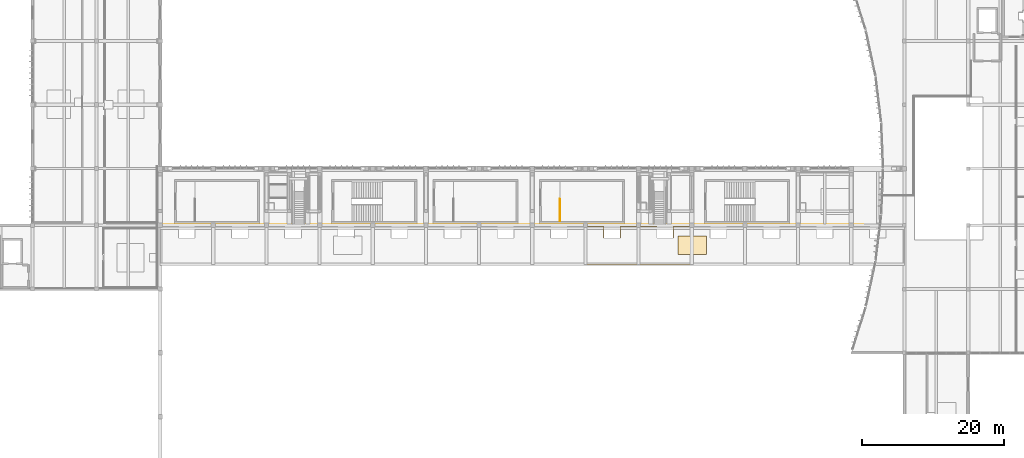
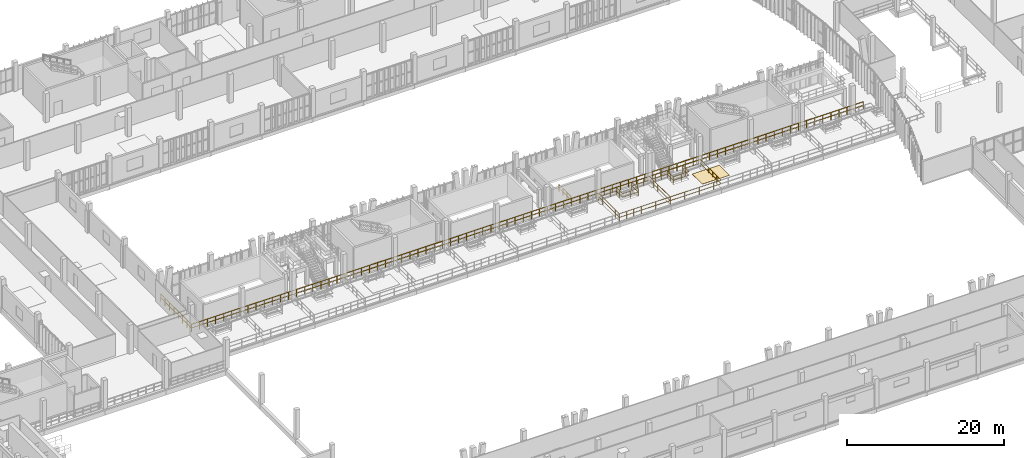
# One storey, part 70 of 81: 4 railings, 1 covering.
"""IFC4 building model written with IfcOpenShell, lengths in metres."""

from ifc_helpers import new_model, si_unit, direction, frame, origin, origin_2d, place, context, subcontext, project, spatial, rectangle, circle, extrude, material, layer, layer_set, type_object, element, save


model = new_model("IFC4")

# Units and contexts
model_context = context("Model", 3, precision=1e-05, world=origin(), true_north=direction((0.0, 1.0)))
body_context = subcontext(model_context, "Body", "Model", "MODEL_VIEW")
ifc_project = project(units=[si_unit("LENGTHUNIT", "METRE"), si_unit("AREAUNIT", "SQUARE_METRE"), si_unit("VOLUMEUNIT", "CUBIC_METRE"), si_unit("PLANEANGLEUNIT", "RADIAN"), si_unit("MASSUNIT", "GRAM", prefix="KILO")], contexts=[model_context])

# Site, building, storey
site_placement = place(None, origin())
site = spatial("IfcSite", under=ifc_project, at=site_placement, CompositionType="ELEMENT")
building_placement = place(site_placement, origin())
building = spatial("IfcBuilding", under=site, at=building_placement, Name="Vourika Railside Aquatics Centre", CompositionType="ELEMENT")
storey_placement = place(building_placement, frame((0.0, 0.0, 4.800048828125)))
storey = spatial("IfcBuildingStorey", under=building, at=storey_placement, Name="L01", CompositionType="ELEMENT", Elevation=4.800048828125)

# Covering
ifc_material_1 = material(Name="Slip-resistant aqua ceramic sports flooring")
ifc_layer = layer(ifc_material_1, 0.02001953125, Name="COV-FLOR-20")
ifc_layer_set = layer_set([ifc_layer], Name="Slip-resistant aqua ceramic sports flooring")
covering_type = type_object("IfcCoveringType", Name="COV-FLOR-20", PredefinedType="FLOORING", material=ifc_layer_set)
covering_placement = place(storey_placement, frame((111.050048828125, 55.199951171875, 0.0), z_axis=(0.0, 0.0, 1.0), x_axis=(1.0, 0.0, 0.0)))
element("IfcCovering", 1, at=covering_placement, inside=storey, type_object=covering_type, Name="Upper Tier Stands Sports Flooring Panel", PredefinedType="FLOORING", context=body_context, shape_type="SweptSolid", body=[
    extrude(rectangle(XDim=4.0, YDim=2.60009765625, at=origin_2d()), origin(), (0.0, 0.0, 1.0), 0.02001953125),
])

# Railings
ifc_material_2 = material(Name="Duplex stainless steel EN 1.4462", Category="steel")
railing_type_1 = type_object("IfcRailingType", Name="RL-BAL-STD120", PredefinedType="BALUSTRADE", material=ifc_material_2)
railing_1_placement = place(storey_placement, frame((36.080078125, 65.89990234375, 0.0)))
element("IfcRailing", 2, at=railing_1_placement, inside=storey, type_object=railing_type_1, Name="L01 Spectator Concourse Bowl Barrier", PredefinedType="BALUSTRADE", context=body_context, shape_type="SweptSolid", body=[
    extrude(circle(Radius=0.02392578125, at=origin_2d()), frame((0.0, 0.0, 1.17578125), z_axis=(0.0, -1.0, 0.0), x_axis=(1.0, 0.0, 0.0)), (0.0, 0.0, 1.0), 7.81982421875),
    extrude(circle(Radius=0.02392578125, at=origin_2d()), frame((0.0, 0.0, 0.60009765625), z_axis=(0.0, -1.0, 0.0), x_axis=(1.0, 0.0, 0.0)), (0.0, 0.0, 1.0), 7.81982421875),
    extrude(circle(Radius=0.02392578125, at=origin_2d()), frame((0.0, -7.81982421875, 1.17578125), z_axis=(1.0, 0.0, 0.0), x_axis=(0.0, 1.0, 0.0)), (0.0, 0.0, 1.0), 99.119873046875),
    extrude(circle(Radius=0.02392578125, at=origin_2d()), frame((0.0, -7.81982421875, 0.60009765625), z_axis=(1.0, 0.0, 0.0), x_axis=(0.0, 1.0, 0.0)), (0.0, 0.0, 1.0), 99.119873046875),
    extrude(circle(Radius=0.02099609375, at=origin_2d()), origin(), (0.0, 0.0, 1.0), 1.15185546875),
    extrude(circle(Radius=0.02099609375, at=origin_2d()), frame((0.0, -1.1171875, 0.0)), (0.0, 0.0, 1.0), 1.15185546875),
    extrude(circle(Radius=0.02099609375, at=origin_2d()), frame((0.0, -2.234130859375, 0.0)), (0.0, 0.0, 1.0), 1.15185546875),
    extrude(circle(Radius=0.02099609375, at=origin_2d()), frame((0.0, -3.351318359375, 0.0)), (0.0, 0.0, 1.0), 1.15185546875),
    extrude(circle(Radius=0.02099609375, at=origin_2d()), frame((0.0, -4.468505859375, 0.0)), (0.0, 0.0, 1.0), 1.15185546875),
    extrude(circle(Radius=0.02099609375, at=origin_2d()), frame((0.0, -5.585693359375, 0.0)), (0.0, 0.0, 1.0), 1.15185546875),
    extrude(circle(Radius=0.02099609375, at=origin_2d()), frame((0.0, -6.70263671875, 0.0)), (0.0, 0.0, 1.0), 1.15185546875),
    extrude(circle(Radius=0.02099609375, at=origin_2d()), frame((0.0, -7.81982421875, 0.0)), (0.0, 0.0, 1.0), 1.15185546875),
    extrude(circle(Radius=0.02099609375, at=origin_2d()), frame((1.1943359375, -7.81982421875, 0.0)), (0.0, 0.0, 1.0), 1.15185546875),
    extrude(circle(Radius=0.02099609375, at=origin_2d()), frame((2.388427734375, -7.81982421875, 0.0)), (0.0, 0.0, 1.0), 1.15185546875),
    extrude(circle(Radius=0.02099609375, at=origin_2d()), frame((3.582763671875, -7.81982421875, 0.0)), (0.0, 0.0, 1.0), 1.15185546875),
    extrude(circle(Radius=0.02099609375, at=origin_2d()), frame((4.77685546875, -7.81982421875, 0.0)), (0.0, 0.0, 1.0), 1.15185546875),
    extrude(circle(Radius=0.02099609375, at=origin_2d()), frame((5.97119140625, -7.81982421875, 0.0)), (0.0, 0.0, 1.0), 1.15185546875),
    extrude(circle(Radius=0.02099609375, at=origin_2d()), frame((7.165283203125, -7.81982421875, 0.0)), (0.0, 0.0, 1.0), 1.15185546875),
    extrude(circle(Radius=0.02099609375, at=origin_2d()), frame((8.359619140625, -7.81982421875, 0.0)), (0.0, 0.0, 1.0), 1.15185546875),
    extrude(circle(Radius=0.02099609375, at=origin_2d()), frame((9.5537109375, -7.81982421875, 0.0)), (0.0, 0.0, 1.0), 1.15185546875),
    extrude(circle(Radius=0.02099609375, at=origin_2d()), frame((10.748046875, -7.81982421875, 0.0)), (0.0, 0.0, 1.0), 1.15185546875),
    extrude(circle(Radius=0.02099609375, at=origin_2d()), frame((11.942138671875, -7.81982421875, 0.0)), (0.0, 0.0, 1.0), 1.15185546875),
    extrude(circle(Radius=0.02099609375, at=origin_2d()), frame((13.136474609375, -7.81982421875, 0.0)), (0.0, 0.0, 1.0), 1.15185546875),
    extrude(circle(Radius=0.02099609375, at=origin_2d()), frame((14.33056640625, -7.81982421875, 0.0)), (0.0, 0.0, 1.0), 1.15185546875),
    extrude(circle(Radius=0.02099609375, at=origin_2d()), frame((15.52490234375, -7.81982421875, 0.0)), (0.0, 0.0, 1.0), 1.15185546875),
    extrude(circle(Radius=0.02099609375, at=origin_2d()), frame((16.718994140625, -7.81982421875, 0.0)), (0.0, 0.0, 1.0), 1.15185546875),
    extrude(circle(Radius=0.02099609375, at=origin_2d()), frame((17.913330078125, -7.81982421875, 0.0)), (0.0, 0.0, 1.0), 1.15185546875),
    extrude(circle(Radius=0.02099609375, at=origin_2d()), frame((19.107421875, -7.81982421875, 0.0)), (0.0, 0.0, 1.0), 1.15185546875),
    extrude(circle(Radius=0.02099609375, at=origin_2d()), frame((20.3017578125, -7.81982421875, 0.0)), (0.0, 0.0, 1.0), 1.15185546875),
    extrude(circle(Radius=0.02099609375, at=origin_2d()), frame((21.495849609375, -7.81982421875, 0.0)), (0.0, 0.0, 1.0), 1.15185546875),
    extrude(circle(Radius=0.02099609375, at=origin_2d()), frame((22.690185546875, -7.81982421875, 0.0)), (0.0, 0.0, 1.0), 1.15185546875),
    extrude(circle(Radius=0.02099609375, at=origin_2d()), frame((23.88427734375, -7.81982421875, 0.0)), (0.0, 0.0, 1.0), 1.15185546875),
    extrude(circle(Radius=0.02099609375, at=origin_2d()), frame((25.07861328125, -7.81982421875, 0.0)), (0.0, 0.0, 1.0), 1.15185546875),
    extrude(circle(Radius=0.02099609375, at=origin_2d()), frame((26.272705078125, -7.81982421875, 0.0)), (0.0, 0.0, 1.0), 1.15185546875),
    extrude(circle(Radius=0.02099609375, at=origin_2d()), frame((27.467041015625, -7.81982421875, 0.0)), (0.0, 0.0, 1.0), 1.15185546875),
    extrude(circle(Radius=0.02099609375, at=origin_2d()), frame((28.6611328125, -7.81982421875, 0.0)), (0.0, 0.0, 1.0), 1.15185546875),
    extrude(circle(Radius=0.02099609375, at=origin_2d()), frame((29.85546875, -7.81982421875, 0.0)), (0.0, 0.0, 1.0), 1.15185546875),
    extrude(circle(Radius=0.02099609375, at=origin_2d()), frame((31.049560546875, -7.81982421875, 0.0)), (0.0, 0.0, 1.0), 1.15185546875),
    extrude(circle(Radius=0.02099609375, at=origin_2d()), frame((32.243896484375, -7.81982421875, 0.0)), (0.0, 0.0, 1.0), 1.15185546875),
    extrude(circle(Radius=0.02099609375, at=origin_2d()), frame((33.43798828125, -7.81982421875, 0.0)), (0.0, 0.0, 1.0), 1.15185546875),
    extrude(circle(Radius=0.02099609375, at=origin_2d()), frame((34.63232421875, -7.81982421875, 0.0)), (0.0, 0.0, 1.0), 1.15185546875),
    extrude(circle(Radius=0.02099609375, at=origin_2d()), frame((35.826416015625, -7.81982421875, 0.0)), (0.0, 0.0, 1.0), 1.15185546875),
    extrude(circle(Radius=0.02099609375, at=origin_2d()), frame((37.020751953125, -7.81982421875, 0.0)), (0.0, 0.0, 1.0), 1.15185546875),
    extrude(circle(Radius=0.02099609375, at=origin_2d()), frame((38.21484375, -7.81982421875, 0.0)), (0.0, 0.0, 1.0), 1.15185546875),
    extrude(circle(Radius=0.02099609375, at=origin_2d()), frame((39.4091796875, -7.81982421875, 0.0)), (0.0, 0.0, 1.0), 1.15185546875),
    extrude(circle(Radius=0.02099609375, at=origin_2d()), frame((40.603271484375, -7.81982421875, 0.0)), (0.0, 0.0, 1.0), 1.15185546875),
    extrude(circle(Radius=0.02099609375, at=origin_2d()), frame((41.797607421875, -7.81982421875, 0.0)), (0.0, 0.0, 1.0), 1.15185546875),
    extrude(circle(Radius=0.02099609375, at=origin_2d()), frame((42.99169921875, -7.81982421875, 0.0)), (0.0, 0.0, 1.0), 1.15185546875),
    extrude(circle(Radius=0.02099609375, at=origin_2d()), frame((44.18603515625, -7.81982421875, 0.0)), (0.0, 0.0, 1.0), 1.15185546875),
    extrude(circle(Radius=0.02099609375, at=origin_2d()), frame((45.380126953125, -7.81982421875, 0.0)), (0.0, 0.0, 1.0), 1.15185546875),
    extrude(circle(Radius=0.02099609375, at=origin_2d()), frame((46.574462890625, -7.81982421875, 0.0)), (0.0, 0.0, 1.0), 1.15185546875),
    extrude(circle(Radius=0.02099609375, at=origin_2d()), frame((47.7685546875, -7.81982421875, 0.0)), (0.0, 0.0, 1.0), 1.15185546875),
    extrude(circle(Radius=0.02099609375, at=origin_2d()), frame((48.962890625, -7.81982421875, 0.0)), (0.0, 0.0, 1.0), 1.15185546875),
    extrude(circle(Radius=0.02099609375, at=origin_2d()), frame((50.156982421875, -7.81982421875, 0.0)), (0.0, 0.0, 1.0), 1.15185546875),
    extrude(circle(Radius=0.02099609375, at=origin_2d()), frame((51.351318359375, -7.81982421875, 0.0)), (0.0, 0.0, 1.0), 1.15185546875),
    extrude(circle(Radius=0.02099609375, at=origin_2d()), frame((52.54541015625, -7.81982421875, 0.0)), (0.0, 0.0, 1.0), 1.15185546875),
    extrude(circle(Radius=0.02099609375, at=origin_2d()), frame((53.73974609375, -7.81982421875, 0.0)), (0.0, 0.0, 1.0), 1.15185546875),
    extrude(circle(Radius=0.02099609375, at=origin_2d()), frame((54.933837890625, -7.81982421875, 0.0)), (0.0, 0.0, 1.0), 1.15185546875),
    extrude(circle(Radius=0.02099609375, at=origin_2d()), frame((56.128173828125, -7.81982421875, 0.0)), (0.0, 0.0, 1.0), 1.15185546875),
    extrude(circle(Radius=0.02099609375, at=origin_2d()), frame((57.322265625, -7.81982421875, 0.0)), (0.0, 0.0, 1.0), 1.15185546875),
    extrude(circle(Radius=0.02099609375, at=origin_2d()), frame((58.5166015625, -7.81982421875, 0.0)), (0.0, 0.0, 1.0), 1.15185546875),
    extrude(circle(Radius=0.02099609375, at=origin_2d()), frame((59.710693359375, -7.81982421875, 0.0)), (0.0, 0.0, 1.0), 1.15185546875),
    extrude(circle(Radius=0.02099609375, at=origin_2d()), frame((60.905029296875, -7.81982421875, 0.0)), (0.0, 0.0, 1.0), 1.15185546875),
    extrude(circle(Radius=0.02099609375, at=origin_2d()), frame((62.09912109375, -7.81982421875, 0.0)), (0.0, 0.0, 1.0), 1.15185546875),
    extrude(circle(Radius=0.02099609375, at=origin_2d()), frame((63.29345703125, -7.81982421875, 0.0)), (0.0, 0.0, 1.0), 1.15185546875),
    extrude(circle(Radius=0.02099609375, at=origin_2d()), frame((64.487548828125, -7.81982421875, 0.0)), (0.0, 0.0, 1.0), 1.15185546875),
    extrude(circle(Radius=0.02099609375, at=origin_2d()), frame((65.681884765625, -7.81982421875, 0.0)), (0.0, 0.0, 1.0), 1.15185546875),
    extrude(circle(Radius=0.02099609375, at=origin_2d()), frame((66.8759765625, -7.81982421875, 0.0)), (0.0, 0.0, 1.0), 1.15185546875),
    extrude(circle(Radius=0.02099609375, at=origin_2d()), frame((68.0703125, -7.81982421875, 0.0)), (0.0, 0.0, 1.0), 1.15185546875),
    extrude(circle(Radius=0.02099609375, at=origin_2d()), frame((69.264404296875, -7.81982421875, 0.0)), (0.0, 0.0, 1.0), 1.15185546875),
    extrude(circle(Radius=0.02099609375, at=origin_2d()), frame((70.458740234375, -7.81982421875, 0.0)), (0.0, 0.0, 1.0), 1.15185546875),
    extrude(circle(Radius=0.02099609375, at=origin_2d()), frame((71.65283203125, -7.81982421875, 0.0)), (0.0, 0.0, 1.0), 1.15185546875),
    extrude(circle(Radius=0.02099609375, at=origin_2d()), frame((72.84716796875, -7.81982421875, 0.0)), (0.0, 0.0, 1.0), 1.15185546875),
    extrude(circle(Radius=0.02099609375, at=origin_2d()), frame((74.041259765625, -7.81982421875, 0.0)), (0.0, 0.0, 1.0), 1.15185546875),
    extrude(circle(Radius=0.02099609375, at=origin_2d()), frame((75.235595703125, -7.81982421875, 0.0)), (0.0, 0.0, 1.0), 1.15185546875),
    extrude(circle(Radius=0.02099609375, at=origin_2d()), frame((76.4296875, -7.81982421875, 0.0)), (0.0, 0.0, 1.0), 1.15185546875),
    extrude(circle(Radius=0.02099609375, at=origin_2d()), frame((77.6240234375, -7.81982421875, 0.0)), (0.0, 0.0, 1.0), 1.15185546875),
    extrude(circle(Radius=0.02099609375, at=origin_2d()), frame((78.818115234375, -7.81982421875, 0.0)), (0.0, 0.0, 1.0), 1.15185546875),
    extrude(circle(Radius=0.02099609375, at=origin_2d()), frame((80.012451171875, -7.81982421875, 0.0)), (0.0, 0.0, 1.0), 1.15185546875),
    extrude(circle(Radius=0.02099609375, at=origin_2d()), frame((81.20654296875, -7.81982421875, 0.0)), (0.0, 0.0, 1.0), 1.15185546875),
    extrude(circle(Radius=0.02099609375, at=origin_2d()), frame((82.40087890625, -7.81982421875, 0.0)), (0.0, 0.0, 1.0), 1.15185546875),
    extrude(circle(Radius=0.02099609375, at=origin_2d()), frame((83.594970703125, -7.81982421875, 0.0)), (0.0, 0.0, 1.0), 1.15185546875),
    extrude(circle(Radius=0.02099609375, at=origin_2d()), frame((84.789306640625, -7.81982421875, 0.0)), (0.0, 0.0, 1.0), 1.15185546875),
    extrude(circle(Radius=0.02099609375, at=origin_2d()), frame((85.9833984375, -7.81982421875, 0.0)), (0.0, 0.0, 1.0), 1.15185546875),
    extrude(circle(Radius=0.02099609375, at=origin_2d()), frame((87.177734375, -7.81982421875, 0.0)), (0.0, 0.0, 1.0), 1.15185546875),
    extrude(circle(Radius=0.02099609375, at=origin_2d()), frame((88.371826171875, -7.81982421875, 0.0)), (0.0, 0.0, 1.0), 1.15185546875),
    extrude(circle(Radius=0.02099609375, at=origin_2d()), frame((89.566162109375, -7.81982421875, 0.0)), (0.0, 0.0, 1.0), 1.15185546875),
    extrude(circle(Radius=0.02099609375, at=origin_2d()), frame((90.76025390625, -7.81982421875, 0.0)), (0.0, 0.0, 1.0), 1.15185546875),
    extrude(circle(Radius=0.02099609375, at=origin_2d()), frame((91.95458984375, -7.81982421875, 0.0)), (0.0, 0.0, 1.0), 1.15185546875),
    extrude(circle(Radius=0.02099609375, at=origin_2d()), frame((93.148681640625, -7.81982421875, 0.0)), (0.0, 0.0, 1.0), 1.15185546875),
    extrude(circle(Radius=0.02099609375, at=origin_2d()), frame((94.343017578125, -7.81982421875, 0.0)), (0.0, 0.0, 1.0), 1.15185546875),
    extrude(circle(Radius=0.02099609375, at=origin_2d()), frame((95.537109375, -7.81982421875, 0.0)), (0.0, 0.0, 1.0), 1.15185546875),
    extrude(circle(Radius=0.02099609375, at=origin_2d()), frame((96.7314453125, -7.81982421875, 0.0)), (0.0, 0.0, 1.0), 1.15185546875),
    extrude(circle(Radius=0.02099609375, at=origin_2d()), frame((97.925537109375, -7.81982421875, 0.0)), (0.0, 0.0, 1.0), 1.15185546875),
    extrude(circle(Radius=0.02099609375, at=origin_2d()), frame((99.119873046875, -7.81982421875, 0.0)), (0.0, 0.0, 1.0), 1.15185546875),
])
railing_2_placement = place(storey_placement, frame((103.5, 57.800048828125, -0.35009765625)))
element("IfcRailing", 3, at=railing_2_placement, inside=storey, type_object=railing_type_1, Name="Spectator Stand Crowd Barrier (Stand Lower Tier Bay 09)", PredefinedType="BALUSTRADE", context=body_context, shape_type="SweptSolid", body=[
    extrude(circle(Radius=0.02392578125, at=origin_2d()), frame((0.0, 0.0, 1.17578125), z_axis=(0.0, -1.0, 0.0), x_axis=(1.0, 0.0, 0.0)), (0.0, 0.0, 1.0), 5.300048828125),
    extrude(circle(Radius=0.02392578125, at=origin_2d()), frame((0.0, 0.0, 0.60009765625), z_axis=(0.0, -1.0, 0.0), x_axis=(1.0, 0.0, 0.0)), (0.0, 0.0, 1.0), 5.300048828125),
    extrude(circle(Radius=0.02392578125, at=origin_2d()), frame((0.0, -5.300048828125, 1.17578125), z_axis=(-1.0, 0.0, 0.0), x_axis=(0.0, -1.0, 0.0)), (0.0, 0.0, 1.0), 7.5),
    extrude(circle(Radius=0.02392578125, at=origin_2d()), frame((0.0, -5.300048828125, 0.60009765625), z_axis=(-1.0, 0.0, 0.0), x_axis=(0.0, -1.0, 0.0)), (0.0, 0.0, 1.0), 7.5),
    extrude(circle(Radius=0.02392578125, at=origin_2d()), frame((-7.5, -5.300048828125, 1.17578125), z_axis=(0.0, 1.0, 0.0), x_axis=(-1.0, 0.0, 0.0)), (0.0, 0.0, 1.0), 5.300048828125),
    extrude(circle(Radius=0.02392578125, at=origin_2d()), frame((-7.5, -5.300048828125, 0.60009765625), z_axis=(0.0, 1.0, 0.0), x_axis=(-1.0, 0.0, 0.0)), (0.0, 0.0, 1.0), 5.300048828125),
    extrude(circle(Radius=0.02392578125, at=origin_2d()), frame((-7.5, 0.0, 1.17578125), z_axis=(1.0, 0.0, 0.0), x_axis=(0.0, 1.0, 0.0)), (0.0, 0.0, 1.0), 2.60009765625),
    extrude(circle(Radius=0.02392578125, at=origin_2d()), frame((-7.5, 0.0, 0.60009765625), z_axis=(1.0, 0.0, 0.0), x_axis=(0.0, 1.0, 0.0)), (0.0, 0.0, 1.0), 2.60009765625),
    extrude(circle(Radius=0.02392578125, at=origin_2d()), frame((-4.89990234375, 0.0, 1.17578125), z_axis=(0.0, -1.0, 0.0), x_axis=(1.0, 0.0, 0.0)), (0.0, 0.0, 1.0), 1.60009765625),
    extrude(circle(Radius=0.02392578125, at=origin_2d()), frame((-4.89990234375, 0.0, 0.60009765625), z_axis=(0.0, -1.0, 0.0), x_axis=(1.0, 0.0, 0.0)), (0.0, 0.0, 1.0), 1.60009765625),
    extrude(circle(Radius=0.02392578125, at=origin_2d()), frame((-4.89990234375, -1.60009765625, 1.17578125), z_axis=(1.0, 0.0, 0.0), x_axis=(0.0, 1.0, 0.0)), (0.0, 0.0, 1.0), 2.2998046875),
    extrude(circle(Radius=0.02392578125, at=origin_2d()), frame((-4.89990234375, -1.60009765625, 0.60009765625), z_axis=(1.0, 0.0, 0.0), x_axis=(0.0, 1.0, 0.0)), (0.0, 0.0, 1.0), 2.2998046875),
    extrude(circle(Radius=0.02392578125, at=origin_2d()), frame((-2.60009765625, -1.60009765625, 1.17578125), z_axis=(0.0, 1.0, 0.0), x_axis=(-1.0, 0.0, 0.0)), (0.0, 0.0, 1.0), 1.60009765625),
    extrude(circle(Radius=0.02392578125, at=origin_2d()), frame((-2.60009765625, -1.60009765625, 0.60009765625), z_axis=(0.0, 1.0, 0.0), x_axis=(-1.0, 0.0, 0.0)), (0.0, 0.0, 1.0), 1.60009765625),
    extrude(circle(Radius=0.02392578125, at=origin_2d()), frame((-2.60009765625, 0.0, 1.17578125), z_axis=(1.0, 0.0, 0.0), x_axis=(0.0, 1.0, 0.0)), (0.0, 0.0, 1.0), 2.60009765625),
    extrude(circle(Radius=0.02392578125, at=origin_2d()), frame((-2.60009765625, 0.0, 0.60009765625), z_axis=(1.0, 0.0, 0.0), x_axis=(0.0, 1.0, 0.0)), (0.0, 0.0, 1.0), 2.60009765625),
    extrude(circle(Radius=0.02099609375, at=origin_2d()), origin(), (0.0, 0.0, 1.0), 1.15185546875),
    extrude(circle(Radius=0.02099609375, at=origin_2d()), frame((0.0, -1.06005859375, 0.0)), (0.0, 0.0, 1.0), 1.15185546875),
    extrude(circle(Radius=0.02099609375, at=origin_2d()), frame((0.0, -2.1201171875, 0.0)), (0.0, 0.0, 1.0), 1.15185546875),
    extrude(circle(Radius=0.02099609375, at=origin_2d()), frame((0.0, -3.179931640625, 0.0)), (0.0, 0.0, 1.0), 1.15185546875),
    extrude(circle(Radius=0.02099609375, at=origin_2d()), frame((0.0, -4.239990234375, 0.0)), (0.0, 0.0, 1.0), 1.15185546875),
    extrude(circle(Radius=0.02099609375, at=origin_2d()), frame((0.0, -5.300048828125, 0.0)), (0.0, 0.0, 1.0), 1.15185546875),
    extrude(circle(Radius=0.02099609375, at=origin_2d()), frame((-1.071533203125, -5.300048828125, 0.0)), (0.0, 0.0, 1.0), 1.15185546875),
    extrude(circle(Radius=0.02099609375, at=origin_2d()), frame((-2.142822265625, -5.300048828125, 0.0)), (0.0, 0.0, 1.0), 1.15185546875),
    extrude(circle(Radius=0.02099609375, at=origin_2d()), frame((-3.21435546875, -5.300048828125, 0.0)), (0.0, 0.0, 1.0), 1.15185546875),
    extrude(circle(Radius=0.02099609375, at=origin_2d()), frame((-4.28564453125, -5.300048828125, 0.0)), (0.0, 0.0, 1.0), 1.15185546875),
    extrude(circle(Radius=0.02099609375, at=origin_2d()), frame((-5.357177734375, -5.300048828125, 0.0)), (0.0, 0.0, 1.0), 1.15185546875),
    extrude(circle(Radius=0.02099609375, at=origin_2d()), frame((-6.428466796875, -5.300048828125, 0.0)), (0.0, 0.0, 1.0), 1.15185546875),
    extrude(circle(Radius=0.02099609375, at=origin_2d()), frame((-7.5, -5.300048828125, 0.0)), (0.0, 0.0, 1.0), 1.15185546875),
    extrude(circle(Radius=0.02099609375, at=origin_2d()), frame((-7.5, -4.239990234375, 0.0)), (0.0, 0.0, 1.0), 1.15185546875),
    extrude(circle(Radius=0.02099609375, at=origin_2d()), frame((-7.5, -3.179931640625, 0.0)), (0.0, 0.0, 1.0), 1.15185546875),
    extrude(circle(Radius=0.02099609375, at=origin_2d()), frame((-7.5, -2.1201171875, 0.0)), (0.0, 0.0, 1.0), 1.15185546875),
    extrude(circle(Radius=0.02099609375, at=origin_2d()), frame((-7.5, -1.06005859375, 0.0)), (0.0, 0.0, 1.0), 1.15185546875),
    extrude(circle(Radius=0.02099609375, at=origin_2d()), frame((-7.5, 0.0, 0.0)), (0.0, 0.0, 1.0), 1.15185546875),
    extrude(circle(Radius=0.02099609375, at=origin_2d()), frame((-6.63330078125, 0.0, 0.0)), (0.0, 0.0, 1.0), 1.15185546875),
    extrude(circle(Radius=0.02099609375, at=origin_2d()), frame((-5.7666015625, 0.0, 0.0)), (0.0, 0.0, 1.0), 1.15185546875),
    extrude(circle(Radius=0.02099609375, at=origin_2d()), frame((-4.89990234375, 0.0, 0.0)), (0.0, 0.0, 1.0), 1.15185546875),
    extrude(circle(Radius=0.02099609375, at=origin_2d()), frame((-4.89990234375, -0.800048828125, 0.0)), (0.0, 0.0, 1.0), 1.15185546875),
    extrude(circle(Radius=0.02099609375, at=origin_2d()), frame((-4.89990234375, -1.60009765625, 0.0)), (0.0, 0.0, 1.0), 1.15185546875),
    extrude(circle(Radius=0.02099609375, at=origin_2d()), frame((-3.75, -1.60009765625, 0.0)), (0.0, 0.0, 1.0), 1.15185546875),
    extrude(circle(Radius=0.02099609375, at=origin_2d()), frame((-2.60009765625, -1.60009765625, 0.0)), (0.0, 0.0, 1.0), 1.15185546875),
    extrude(circle(Radius=0.02099609375, at=origin_2d()), frame((-2.60009765625, -0.800048828125, 0.0)), (0.0, 0.0, 1.0), 1.15185546875),
    extrude(circle(Radius=0.02099609375, at=origin_2d()), frame((-2.60009765625, 0.0, 0.0)), (0.0, 0.0, 1.0), 1.15185546875),
    extrude(circle(Radius=0.02099609375, at=origin_2d()), frame((-1.7333984375, 0.0, 0.0)), (0.0, 0.0, 1.0), 1.15185546875),
    extrude(circle(Radius=0.02099609375, at=origin_2d()), frame((-0.86669921875, 0.0, 0.0)), (0.0, 0.0, 1.0), 1.15185546875),
])
railing_3_placement = place(storey_placement, frame((111.0, 57.800048828125, -0.35009765625)))
element("IfcRailing", 4, at=railing_3_placement, inside=storey, type_object=railing_type_1, Name="Spectator Stand Crowd Barrier (Stand Lower Tier Bay 10)", PredefinedType="BALUSTRADE", context=body_context, shape_type="SweptSolid", body=[
    extrude(circle(Radius=0.02392578125, at=origin_2d()), frame((0.0, 0.0, 1.17578125), z_axis=(0.0, -1.0, 0.0), x_axis=(1.0, 0.0, 0.0)), (0.0, 0.0, 1.0), 5.300048828125),
    extrude(circle(Radius=0.02392578125, at=origin_2d()), frame((0.0, 0.0, 0.60009765625), z_axis=(0.0, -1.0, 0.0), x_axis=(1.0, 0.0, 0.0)), (0.0, 0.0, 1.0), 5.300048828125),
    extrude(circle(Radius=0.02392578125, at=origin_2d()), frame((0.0, -5.300048828125, 1.17578125), z_axis=(-1.0, 0.0, 0.0), x_axis=(0.0, -1.0, 0.0)), (0.0, 0.0, 1.0), 7.5),
    extrude(circle(Radius=0.02392578125, at=origin_2d()), frame((0.0, -5.300048828125, 0.60009765625), z_axis=(-1.0, 0.0, 0.0), x_axis=(0.0, -1.0, 0.0)), (0.0, 0.0, 1.0), 7.5),
    extrude(circle(Radius=0.02392578125, at=origin_2d()), frame((-7.5, -5.300048828125, 1.17578125), z_axis=(0.0, 1.0, 0.0), x_axis=(-1.0, 0.0, 0.0)), (0.0, 0.0, 1.0), 5.300048828125),
    extrude(circle(Radius=0.02392578125, at=origin_2d()), frame((-7.5, -5.300048828125, 0.60009765625), z_axis=(0.0, 1.0, 0.0), x_axis=(-1.0, 0.0, 0.0)), (0.0, 0.0, 1.0), 5.300048828125),
    extrude(circle(Radius=0.02392578125, at=origin_2d()), frame((-7.5, 0.0, 1.17578125), z_axis=(1.0, 0.0, 0.0), x_axis=(0.0, 1.0, 0.0)), (0.0, 0.0, 1.0), 2.60009765625),
    extrude(circle(Radius=0.02392578125, at=origin_2d()), frame((-7.5, 0.0, 0.60009765625), z_axis=(1.0, 0.0, 0.0), x_axis=(0.0, 1.0, 0.0)), (0.0, 0.0, 1.0), 2.60009765625),
    extrude(circle(Radius=0.02392578125, at=origin_2d()), frame((-4.89990234375, 0.0, 1.17578125), z_axis=(0.0, -1.0, 0.0), x_axis=(1.0, 0.0, 0.0)), (0.0, 0.0, 1.0), 1.60009765625),
    extrude(circle(Radius=0.02392578125, at=origin_2d()), frame((-4.89990234375, 0.0, 0.60009765625), z_axis=(0.0, -1.0, 0.0), x_axis=(1.0, 0.0, 0.0)), (0.0, 0.0, 1.0), 1.60009765625),
    extrude(circle(Radius=0.02392578125, at=origin_2d()), frame((-4.89990234375, -1.60009765625, 1.17578125), z_axis=(1.0, 0.0, 0.0), x_axis=(0.0, 1.0, 0.0)), (0.0, 0.0, 1.0), 2.2998046875),
    extrude(circle(Radius=0.02392578125, at=origin_2d()), frame((-4.89990234375, -1.60009765625, 0.60009765625), z_axis=(1.0, 0.0, 0.0), x_axis=(0.0, 1.0, 0.0)), (0.0, 0.0, 1.0), 2.2998046875),
    extrude(circle(Radius=0.02392578125, at=origin_2d()), frame((-2.60009765625, -1.60009765625, 1.17578125), z_axis=(0.0, 1.0, 0.0), x_axis=(-1.0, 0.0, 0.0)), (0.0, 0.0, 1.0), 1.60009765625),
    extrude(circle(Radius=0.02392578125, at=origin_2d()), frame((-2.60009765625, -1.60009765625, 0.60009765625), z_axis=(0.0, 1.0, 0.0), x_axis=(-1.0, 0.0, 0.0)), (0.0, 0.0, 1.0), 1.60009765625),
    extrude(circle(Radius=0.02392578125, at=origin_2d()), frame((-2.60009765625, 0.0, 1.17578125), z_axis=(1.0, 0.0, 0.0), x_axis=(0.0, 1.0, 0.0)), (0.0, 0.0, 1.0), 2.60009765625),
    extrude(circle(Radius=0.02392578125, at=origin_2d()), frame((-2.60009765625, 0.0, 0.60009765625), z_axis=(1.0, 0.0, 0.0), x_axis=(0.0, 1.0, 0.0)), (0.0, 0.0, 1.0), 2.60009765625),
    extrude(circle(Radius=0.02099609375, at=origin_2d()), origin(), (0.0, 0.0, 1.0), 1.15185546875),
    extrude(circle(Radius=0.02099609375, at=origin_2d()), frame((0.0, -1.06005859375, 0.0)), (0.0, 0.0, 1.0), 1.15185546875),
    extrude(circle(Radius=0.02099609375, at=origin_2d()), frame((0.0, -2.1201171875, 0.0)), (0.0, 0.0, 1.0), 1.15185546875),
    extrude(circle(Radius=0.02099609375, at=origin_2d()), frame((0.0, -3.179931640625, 0.0)), (0.0, 0.0, 1.0), 1.15185546875),
    extrude(circle(Radius=0.02099609375, at=origin_2d()), frame((0.0, -4.239990234375, 0.0)), (0.0, 0.0, 1.0), 1.15185546875),
    extrude(circle(Radius=0.02099609375, at=origin_2d()), frame((0.0, -5.300048828125, 0.0)), (0.0, 0.0, 1.0), 1.15185546875),
    extrude(circle(Radius=0.02099609375, at=origin_2d()), frame((-1.071533203125, -5.300048828125, 0.0)), (0.0, 0.0, 1.0), 1.15185546875),
    extrude(circle(Radius=0.02099609375, at=origin_2d()), frame((-2.142822265625, -5.300048828125, 0.0)), (0.0, 0.0, 1.0), 1.15185546875),
    extrude(circle(Radius=0.02099609375, at=origin_2d()), frame((-3.21435546875, -5.300048828125, 0.0)), (0.0, 0.0, 1.0), 1.15185546875),
    extrude(circle(Radius=0.02099609375, at=origin_2d()), frame((-4.28564453125, -5.300048828125, 0.0)), (0.0, 0.0, 1.0), 1.15185546875),
    extrude(circle(Radius=0.02099609375, at=origin_2d()), frame((-5.357177734375, -5.300048828125, 0.0)), (0.0, 0.0, 1.0), 1.15185546875),
    extrude(circle(Radius=0.02099609375, at=origin_2d()), frame((-6.428466796875, -5.300048828125, 0.0)), (0.0, 0.0, 1.0), 1.15185546875),
    extrude(circle(Radius=0.02099609375, at=origin_2d()), frame((-7.5, -5.300048828125, 0.0)), (0.0, 0.0, 1.0), 1.15185546875),
    extrude(circle(Radius=0.02099609375, at=origin_2d()), frame((-7.5, -4.239990234375, 0.0)), (0.0, 0.0, 1.0), 1.15185546875),
    extrude(circle(Radius=0.02099609375, at=origin_2d()), frame((-7.5, -3.179931640625, 0.0)), (0.0, 0.0, 1.0), 1.15185546875),
    extrude(circle(Radius=0.02099609375, at=origin_2d()), frame((-7.5, -2.1201171875, 0.0)), (0.0, 0.0, 1.0), 1.15185546875),
    extrude(circle(Radius=0.02099609375, at=origin_2d()), frame((-7.5, -1.06005859375, 0.0)), (0.0, 0.0, 1.0), 1.15185546875),
    extrude(circle(Radius=0.02099609375, at=origin_2d()), frame((-7.5, 0.0, 0.0)), (0.0, 0.0, 1.0), 1.15185546875),
    extrude(circle(Radius=0.02099609375, at=origin_2d()), frame((-6.63330078125, 0.0, 0.0)), (0.0, 0.0, 1.0), 1.15185546875),
    extrude(circle(Radius=0.02099609375, at=origin_2d()), frame((-5.7666015625, 0.0, 0.0)), (0.0, 0.0, 1.0), 1.15185546875),
    extrude(circle(Radius=0.02099609375, at=origin_2d()), frame((-4.89990234375, 0.0, 0.0)), (0.0, 0.0, 1.0), 1.15185546875),
    extrude(circle(Radius=0.02099609375, at=origin_2d()), frame((-4.89990234375, -0.800048828125, 0.0)), (0.0, 0.0, 1.0), 1.15185546875),
    extrude(circle(Radius=0.02099609375, at=origin_2d()), frame((-4.89990234375, -1.60009765625, 0.0)), (0.0, 0.0, 1.0), 1.15185546875),
    extrude(circle(Radius=0.02099609375, at=origin_2d()), frame((-3.75, -1.60009765625, 0.0)), (0.0, 0.0, 1.0), 1.15185546875),
    extrude(circle(Radius=0.02099609375, at=origin_2d()), frame((-2.60009765625, -1.60009765625, 0.0)), (0.0, 0.0, 1.0), 1.15185546875),
    extrude(circle(Radius=0.02099609375, at=origin_2d()), frame((-2.60009765625, -0.800048828125, 0.0)), (0.0, 0.0, 1.0), 1.15185546875),
    extrude(circle(Radius=0.02099609375, at=origin_2d()), frame((-2.60009765625, 0.0, 0.0)), (0.0, 0.0, 1.0), 1.15185546875),
    extrude(circle(Radius=0.02099609375, at=origin_2d()), frame((-1.7333984375, 0.0, 0.0)), (0.0, 0.0, 1.0), 1.15185546875),
    extrude(circle(Radius=0.02099609375, at=origin_2d()), frame((-0.86669921875, 0.0, 0.0)), (0.0, 0.0, 1.0), 1.15185546875),
])
railing_type_2 = type_object("IfcRailingType", Name="RL-STAIR-1120", PredefinedType="BALUSTRADE", material=ifc_material_2)
railing_4_placement = place(storey_placement, frame((92.389892578125, 58.60009765625, 0.0)))
element("IfcRailing", 5, at=railing_4_placement, inside=storey, type_object=railing_type_2, Name="Grandstand Vomitory Exit Stair ST09 L01 Well Edge Guard", PredefinedType="BALUSTRADE", context=body_context, shape_type="SweptSolid", body=[
    extrude(circle(Radius=0.02392578125, at=origin_2d()), frame((0.0, 0.0, 1.09619140625), z_axis=(0.0, 1.0, 0.0), x_axis=(-1.0, 0.0, 0.0)), (0.0, 0.0, 1.0), 3.099853515625),
    extrude(circle(Radius=0.02392578125, at=origin_2d()), frame((0.0, 0.0, 0.56005859375), z_axis=(0.0, 1.0, 0.0), x_axis=(-1.0, 0.0, 0.0)), (0.0, 0.0, 1.0), 3.099853515625),
    extrude(circle(Radius=0.02099609375, at=origin_2d()), origin(), (0.0, 0.0, 1.0), 1.072021484375),
    extrude(circle(Radius=0.02099609375, at=origin_2d()), frame((0.0, 1.033203125, 0.0)), (0.0, 0.0, 1.0), 1.072021484375),
    extrude(circle(Radius=0.02099609375, at=origin_2d()), frame((0.0, 2.066650390625, 0.0)), (0.0, 0.0, 1.0), 1.072021484375),
    extrude(circle(Radius=0.02099609375, at=origin_2d()), frame((0.0, 3.099853515625, 0.0)), (0.0, 0.0, 1.0), 1.072021484375),
])

save(model, "model.ifc")
